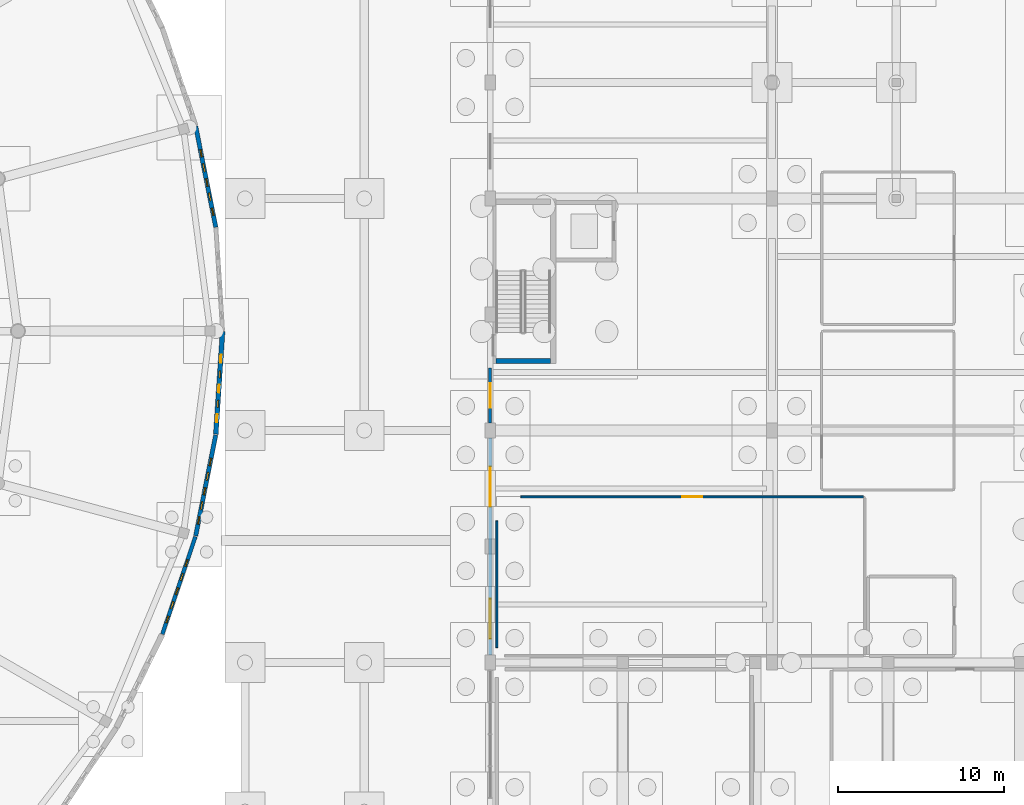
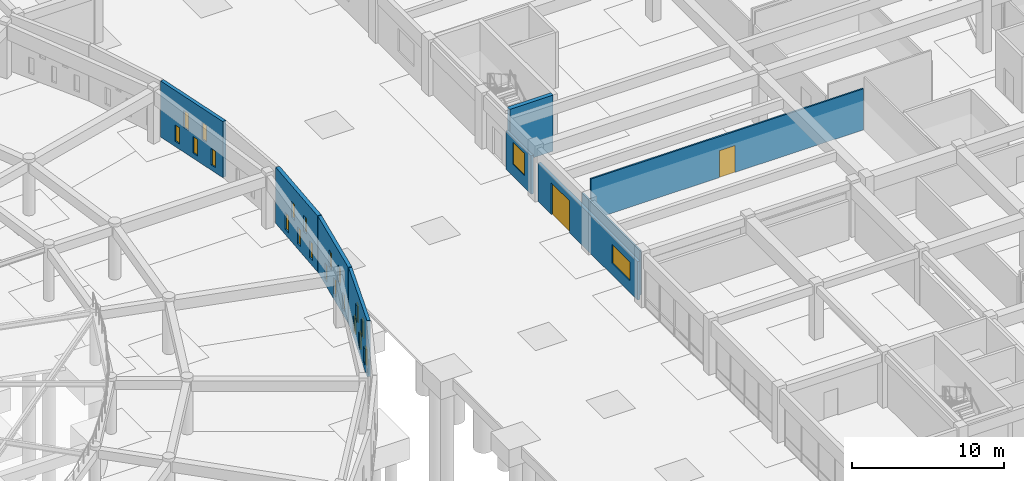
# One storey, part 48 of 84: 22 windows, 9 walls, 2 doors, 24 openings.
"""IFC4 building model written with IfcOpenShell, lengths in metres."""

import ifcopenshell
import ifcopenshell.guid

model = None  # the IFC model being written
_history = None  # IfcOwnerHistory: only IFC2X3 demands one
_inside = {}  # id of a spatial element -> (the spatial element, [elements in it])
_under = {}  # id of a project, library or spatial element -> (it, [spatial elements below it])
_declared = {}  # id of a project -> (the project, [libraries it declares])
_typed = {}  # id of a type object -> (the type object, [elements of that type])
_made_of = {}  # id of a material, layer set ... -> (it, [elements and type objects made of it])


def new_model(schema):
    """Start an empty IFC model of exactly this schema.

    Asked for "IFC4X3", IfcOpenShell would pick the latest addendum, in which some entities
    have other attributes; the version numbers below select the first issue.
    IFC2X3 requires an IfcOwnerHistory on every rooted entity: one is made here for all.
    """
    global model, _history
    if schema == "IFC4X3":
        model = ifcopenshell.file(schema_version=(4, 3, 0, 0))
    else:
        model = ifcopenshell.file(schema=schema)
    _inside.clear()
    _under.clear()
    _declared.clear()
    _typed.clear()
    _made_of.clear()
    _history = None
    if model.schema == "IFC2X3":
        org = make("IfcOrganization", Name="unknown")
        user = make(
            "IfcPersonAndOrganization",
            ThePerson=make("IfcPerson", FamilyName="unknown"),
            TheOrganization=org,
        )
        app = make(
            "IfcApplication",
            ApplicationDeveloper=org,
            Version="unknown",
            ApplicationFullName="unknown",
            ApplicationIdentifier="unknown",
        )
        _history = make(
            "IfcOwnerHistory",
            OwningUser=user,
            OwningApplication=app,
            ChangeAction="ADDED",
            CreationDate=0,
        )
    return model


def make(cls, **values):
    """One entity of the class cls with the attributes given. An attribute that is None is left unset."""
    return model.create_entity(
        cls, **{name: value for name, value in values.items() if value is not None}
    )


def rooted(cls, **values):
    """An entity with a GlobalId (a new one), such as an element, a storey or a relation."""
    return make(cls, GlobalId=ifcopenshell.guid.new(), OwnerHistory=_history, **values)


def si_unit(unit_type, name, prefix=None):
    """IfcSIUnit, for example si_unit("LENGTHUNIT", "METRE", prefix="MILLI")."""
    return make("IfcSIUnit", UnitType=unit_type, Prefix=prefix, Name=name)


def assignment(units):
    """IfcUnitAssignment: the units of a project."""
    return None if units is None else make("IfcUnitAssignment", Units=units)


def point(xyz):
    """IfcCartesianPoint."""
    return None if xyz is None else make("IfcCartesianPoint", Coordinates=xyz)


def direction(xyz):
    """IfcDirection."""
    return None if xyz is None else make("IfcDirection", DirectionRatios=xyz)


def frame(location, z_axis=None, x_axis=None):
    """IfcAxis2Placement3D, a coordinate frame: its origin and axes. An axis left out is left unset."""
    return make(
        "IfcAxis2Placement3D",
        Location=point(location),
        Axis=direction(z_axis),
        RefDirection=direction(x_axis),
    )


def frame_2d(location, x_axis=None):
    """IfcAxis2Placement2D, a coordinate frame in the plane: its origin and x axis."""
    return make(
        "IfcAxis2Placement2D", Location=point(location), RefDirection=direction(x_axis)
    )


def origin():
    """The frame at (0, 0, 0) with its axes left unset."""
    return frame((0.0, 0.0, 0.0))


def place(relative_to, where):
    """IfcLocalPlacement: puts the frame where relative to a parent placement (None: the world)."""
    return make(
        "IfcLocalPlacement", PlacementRelTo=relative_to, RelativePlacement=where
    )


def context(
    kind, dimensions, precision=None, world=None, true_north=None, identifier=None
):
    """IfcGeometricRepresentationContext, for example the 3D "Model" context."""
    return make(
        "IfcGeometricRepresentationContext",
        ContextIdentifier=identifier,
        ContextType=kind,
        CoordinateSpaceDimension=dimensions,
        Precision=precision,
        WorldCoordinateSystem=world,
        TrueNorth=true_north,
    )


def subcontext(parent, identifier, kind, view, scale=None):
    """IfcGeometricRepresentationSubContext, for example "Body" below "Model"."""
    return make(
        "IfcGeometricRepresentationSubContext",
        ContextIdentifier=identifier,
        ContextType=kind,
        ParentContext=parent,
        TargetScale=scale,
        TargetView=view,
    )


def project(units=None, contexts=None):
    """IfcProject with its units and contexts."""
    return rooted(
        "IfcProject",
        Name="project",
        RepresentationContexts=contexts,
        UnitsInContext=assignment(units),
    )


def spatial(cls, under=None, at=None, **own):
    """A site, building, storey or space (cls), placed at a placement, below another one or the project."""
    s = rooted(cls, ObjectPlacement=at, **own)
    if under is not None:
        _under.setdefault(under.id(), (under, []))[1].append(s)
    return s


def profile(cls, at=None, kind="AREA", **sizes):
    """A parametric profile (cls). Its sizes go by their IFC names, for example OverallWidth=200.0."""
    return make(cls, ProfileType=kind, Position=at, **sizes)


def rectangle(**sizes):
    """IfcRectangleProfileDef."""
    return profile("IfcRectangleProfileDef", **sizes)


def extrude(swept, where, along, depth):
    """IfcExtrudedAreaSolid: the profile swept, set in the frame where, extruded along a direction by depth."""
    return make(
        "IfcExtrudedAreaSolid",
        SweptArea=swept,
        Position=where,
        ExtrudedDirection=direction(along),
        Depth=depth,
    )


def shape(context_of_items, identifier, shape_type, items):
    """IfcShapeRepresentation: the items that make up one representation, for example the "Body"."""
    return make(
        "IfcShapeRepresentation",
        ContextOfItems=context_of_items,
        RepresentationIdentifier=identifier,
        RepresentationType=shape_type,
        Items=items,
    )


def material(Name=None, Category=None):
    """IfcMaterial."""
    return make("IfcMaterial", Name=Name, Category=Category)


def layer(
    of_material, thickness, ventilated=None, Name=None, Category=None, Priority=None
):
    """IfcMaterialLayer: one layer of a wall or slab, of a material (None: an air gap)."""
    return make(
        "IfcMaterialLayer",
        Material=of_material,
        LayerThickness=thickness,
        IsVentilated=ventilated,
        Name=Name,
        Category=Category,
        Priority=Priority,
    )


def layer_set(layers, Name=None):
    """IfcMaterialLayerSet."""
    return make("IfcMaterialLayerSet", MaterialLayers=layers, LayerSetName=Name)


def made_of(thing, what):
    """Note that an element or type object is made of a material, layer set ...; save() writes the relation."""
    if what is not None:
        _made_of.setdefault(what.id(), (what, []))[1].append(thing)
    return thing


def type_object(cls, material=None, **own):
    """A type object (cls), such as IfcWallType, which elements share."""
    return made_of(rooted(cls, **own), material)


def element(
    cls,
    number,
    at=None,
    inside=None,
    cuts=None,
    type_object=None,
    material=None,
    context=None,
    identifier="Body",
    shape_type=None,
    held_by="IfcProductDefinitionShape",
    body=None,
    shapes=None,
    **own,
):
    """One element of the class cls, such as IfcWall. Its Tag is "e" and its number.

    at: its placement. inside: the storey or other place that contains it. cuts: it is an
    opening in that element (IfcRelVoidsElement). A single representation is given by context,
    identifier, shape_type and body (its items); several are given by shapes. held_by: the class
    of the entity that holds the representations. save() writes the other relations.
    """
    e = rooted(cls, Tag="e%d" % number, ObjectPlacement=at, **own)
    if body is not None:
        shapes = [shape(context, identifier, shape_type, body)]
    if shapes is not None:
        e.Representation = make(held_by, Representations=shapes)
    if inside is not None:
        _inside.setdefault(inside.id(), (inside, []))[1].append(e)
    if cuts is not None:
        rooted(
            "IfcRelVoidsElement", RelatingBuildingElement=cuts, RelatedOpeningElement=e
        )
    if type_object is not None:
        _typed.setdefault(type_object.id(), (type_object, []))[1].append(e)
    return made_of(e, material)


def fill(opening, filler):
    """IfcRelFillsElement: the door or window that sits in an opening."""
    return rooted(
        "IfcRelFillsElement",
        RelatingOpeningElement=opening,
        RelatedBuildingElement=filler,
    )


def aggregate(whole, parts):
    """IfcRelAggregates: a whole, such as a stair, and the parts it consists of."""
    return rooted("IfcRelAggregates", RelatingObject=whole, RelatedObjects=parts)


def save(model, path):
    """Write the relations noted so far, then the file.

    IfcRelAggregates (storeys below a building ...), IfcRelContainedInSpatialStructure (elements
    in a storey), IfcRelDefinesByType, IfcRelAssociatesMaterial and IfcRelDeclares: one each for
    every whole, place, type object, material and project.
    """
    for whole, parts in _under.values():
        aggregate(whole, parts)
    for where, things in _inside.values():
        rooted(
            "IfcRelContainedInSpatialStructure",
            RelatedElements=things,
            RelatingStructure=where,
        )
    for kind, things in _typed.values():
        rooted("IfcRelDefinesByType", RelatedObjects=things, RelatingType=kind)
    for what, things in _made_of.values():
        rooted("IfcRelAssociatesMaterial", RelatedObjects=things, RelatingMaterial=what)
    for by, libraries in _declared.values():
        rooted("IfcRelDeclares", RelatingContext=by, RelatedDefinitions=libraries)
    model.write(path)


model = new_model("IFC4")

# Units and contexts
model_context = context("Model", 3, precision=1e-05, world=origin(), true_north=direction((0.0, 1.0)))
body_context = subcontext(model_context, "Body", "Model", "MODEL_VIEW")
ifc_project = project(units=[si_unit("LENGTHUNIT", "METRE"), si_unit("AREAUNIT", "SQUARE_METRE"), si_unit("VOLUMEUNIT", "CUBIC_METRE"), si_unit("PLANEANGLEUNIT", "RADIAN"), si_unit("MASSUNIT", "GRAM", prefix="KILO")], contexts=[model_context])

# Site, building, storey
site_placement = place(None, origin())
site = spatial("IfcSite", under=ifc_project, at=site_placement, CompositionType="ELEMENT")
building_placement = place(site_placement, origin())
building = spatial("IfcBuilding", under=site, at=building_placement, Name="Larkveld Mobility Hub", CompositionType="ELEMENT")
storey_placement = place(building_placement, origin())
storey = spatial("IfcBuildingStorey", under=building, at=storey_placement, Name="L00", CompositionType="ELEMENT", Elevation=0.0)

# Wall, openings, windows
ifc_material_1 = material(Name="Fired clay brick 25 MPa", Category="masonry")
ifc_layer_1 = layer(ifc_material_1, 0.22998046875, Name="Fired clay brick 25 MPa", Category="masonry")
ifc_layer_set_1 = layer_set([ifc_layer_1], Name="Fired clay brick 25 MPa")
wall_type_1 = type_object("IfcWallType", Name="WL-BRK-230", PredefinedType="USERDEFINED", material=ifc_layer_set_1)
wall_1_placement = place(storey_placement, frame((92.216064453125, 29.7119140625, 0.0), z_axis=(0.0, 0.0, 1.0), x_axis=(0.321364960579, 0.946955417172, 0.0)))
wall_1 = element("IfcWall", 1, at=wall_1_placement, inside=storey, type_object=wall_type_1, Name="Drum Woven Open-Bond Brick Chord L00-0044", ObjectType="PERFORATED BRICK SCREEN", PredefinedType="USERDEFINED", context=body_context, shape_type="SweptSolid", body=[
    extrude(rectangle(XDim=6.21044921875, YDim=0.22998046875, at=frame_2d((3.105224609375, 0.0))), origin(), (0.0, 0.0, 1.0), 4.5),
])
opening_1_placement = place(wall_1_placement, frame((0.719970703125, 0.0, 0.419921875)))
opening_1 = element("IfcOpeningElement", 2, at=opening_1_placement, cuts=wall_1, Name="Opening W01", PredefinedType="OPENING", context=body_context, shape_type="SweptSolid", body=[
    extrude(rectangle(XDim=0.419921875, YDim=1.280029296875, at=frame_2d((0.2099609375, 0.64013671875))), frame((0.0, 0.125, 0.0), z_axis=(0.0, -1.0, 0.0), x_axis=(1.0, 0.0, 0.0)), (0.0, 0.0, 1.0), 0.25),
])
opening_2_placement = place(wall_1_placement, frame((2.52001953125, 0.0, 0.419921875)))
opening_2 = element("IfcOpeningElement", 3, at=opening_2_placement, cuts=wall_1, Name="Opening W01", PredefinedType="OPENING", context=body_context, shape_type="SweptSolid", body=[
    extrude(rectangle(XDim=0.419921875, YDim=1.280029296875, at=frame_2d((0.2099609375, 0.64013671875))), frame((0.0, 0.125, 0.0), z_axis=(0.0, -1.0, 0.0), x_axis=(1.0, 0.0, 0.0)), (0.0, 0.0, 1.0), 0.25),
])
opening_3_placement = place(wall_1_placement, frame((4.320068359375, 0.0, 0.419921875)))
opening_3 = element("IfcOpeningElement", 4, at=opening_3_placement, cuts=wall_1, Name="Opening W01", PredefinedType="OPENING", context=body_context, shape_type="SweptSolid", body=[
    extrude(rectangle(XDim=0.419921875, YDim=1.280029296875, at=frame_2d((0.2099609375, 0.64013671875))), frame((0.0, 0.125, 0.0), z_axis=(0.0, -1.0, 0.0), x_axis=(1.0, 0.0, 0.0)), (0.0, 0.0, 1.0), 0.25),
])
opening_4_placement = place(wall_1_placement, frame((1.6201171875, 0.0, 1.97998046875)))
opening_4 = element("IfcOpeningElement", 5, at=opening_4_placement, cuts=wall_1, Name="Opening W02", PredefinedType="OPENING", context=body_context, shape_type="SweptSolid", body=[
    extrude(rectangle(XDim=0.449951171875, YDim=1.320068359375, at=frame_2d((0.22509765625, 0.66015625))), frame((0.0, 0.125, 0.0), z_axis=(0.0, -1.0, 0.0), x_axis=(1.0, 0.0, 0.0)), (0.0, 0.0, 1.0), 0.25),
])
opening_5_placement = place(wall_1_placement, frame((3.419921875, 0.0, 1.97998046875)))
opening_5 = element("IfcOpeningElement", 6, at=opening_5_placement, cuts=wall_1, Name="Opening W02", PredefinedType="OPENING", context=body_context, shape_type="SweptSolid", body=[
    extrude(rectangle(XDim=0.449951171875, YDim=1.320068359375, at=frame_2d((0.22509765625, 0.66015625))), frame((0.0, 0.125, 0.0), z_axis=(0.0, -1.0, 0.0), x_axis=(1.0, 0.0, 0.0)), (0.0, 0.0, 1.0), 0.25),
])
ifc_material_2 = material(Name="Extruded aluminium ventilation grille", Category="aluminium")
window_type_1 = type_object("IfcWindowType", Name="WN-VENT-01", PartitioningType="SINGLE_PANEL", PredefinedType="WINDOW", material=ifc_material_2)
window_1_placement = place(opening_1_placement, origin())
window_1 = element("IfcWindow", 7, at=window_1_placement, inside=storey, type_object=window_type_1, Name="Window W01 (0206)", OverallHeight=1.280029296875, OverallWidth=0.419921875, PartitioningType="SINGLE_PANEL", PredefinedType="WINDOW", context=body_context, shape_type="SweptSolid", body=[
    extrude(rectangle(XDim=0.419921875, YDim=1.280029296875, at=frame_2d((0.2099609375, 0.64013671875))), frame((0.0, 0.030029296875, 0.0), z_axis=(0.0, -1.0, 0.0), x_axis=(1.0, 0.0, 0.0)), (0.0, 0.0, 1.0), 0.06005859375),
])
fill(opening_1, window_1)
window_2_placement = place(opening_2_placement, origin())
window_2 = element("IfcWindow", 8, at=window_2_placement, inside=storey, type_object=window_type_1, Name="Window W01 (0207)", OverallHeight=1.280029296875, OverallWidth=0.419921875, PartitioningType="SINGLE_PANEL", PredefinedType="WINDOW", context=body_context, shape_type="SweptSolid", body=[
    extrude(rectangle(XDim=0.419921875, YDim=1.280029296875, at=frame_2d((0.2099609375, 0.64013671875))), frame((0.0, 0.030029296875, 0.0), z_axis=(0.0, -1.0, 0.0), x_axis=(1.0, 0.0, 0.0)), (0.0, 0.0, 1.0), 0.06005859375),
])
fill(opening_2, window_2)
window_3_placement = place(opening_3_placement, origin())
window_3 = element("IfcWindow", 9, at=window_3_placement, inside=storey, type_object=window_type_1, Name="Window W01 (0208)", OverallHeight=1.280029296875, OverallWidth=0.419921875, PartitioningType="SINGLE_PANEL", PredefinedType="WINDOW", context=body_context, shape_type="SweptSolid", body=[
    extrude(rectangle(XDim=0.419921875, YDim=1.280029296875, at=frame_2d((0.2099609375, 0.64013671875))), frame((0.0, 0.030029296875, 0.0), z_axis=(0.0, -1.0, 0.0), x_axis=(1.0, 0.0, 0.0)), (0.0, 0.0, 1.0), 0.06005859375),
])
fill(opening_3, window_3)
window_type_2 = type_object("IfcWindowType", Name="WN-VENT-02", PartitioningType="SINGLE_PANEL", PredefinedType="WINDOW", material=ifc_material_2)
window_4_placement = place(opening_4_placement, origin())
window_4 = element("IfcWindow", 10, at=window_4_placement, inside=storey, type_object=window_type_2, Name="Window W02 (0209)", OverallHeight=1.320068359375, OverallWidth=0.449951171875, PartitioningType="SINGLE_PANEL", PredefinedType="WINDOW", context=body_context, shape_type="SweptSolid", body=[
    extrude(rectangle(XDim=0.449951171875, YDim=1.320068359375, at=frame_2d((0.22509765625, 0.66015625))), frame((0.0, 0.030029296875, 0.0), z_axis=(0.0, -1.0, 0.0), x_axis=(1.0, 0.0, 0.0)), (0.0, 0.0, 1.0), 0.06005859375),
])
fill(opening_4, window_4)
window_5_placement = place(opening_5_placement, origin())
window_5 = element("IfcWindow", 11, at=window_5_placement, inside=storey, type_object=window_type_2, Name="Window W02 (0210)", OverallHeight=1.320068359375, OverallWidth=0.449951171875, PartitioningType="SINGLE_PANEL", PredefinedType="WINDOW", context=body_context, shape_type="SweptSolid", body=[
    extrude(rectangle(XDim=0.449951171875, YDim=1.320068359375, at=frame_2d((0.22509765625, 0.66015625))), frame((0.0, 0.030029296875, 0.0), z_axis=(0.0, -1.0, 0.0), x_axis=(1.0, 0.0, 0.0)), (0.0, 0.0, 1.0), 0.06005859375),
])
fill(opening_5, window_5)

ifc_layer_2 = layer(ifc_material_1, 0.260009765625, Name="Fired clay brick 25 MPa", Category="masonry")
ifc_layer_set_2 = layer_set([ifc_layer_2], Name="Fired clay brick 25 MPa")
wall_type_2 = type_object("IfcWallType", Name="WL-BRK-260", PredefinedType="USERDEFINED", material=ifc_layer_set_2)
wall_2_placement = place(storey_placement, frame((95.43603515625, 54.27001953125, 0.0), z_axis=(0.0, 0.0, 1.0), x_axis=(-0.195019632022, 0.980799338869, 0.0)))
wall_2 = element("IfcWall", 12, at=wall_2_placement, inside=storey, type_object=wall_type_2, Name="Drum Woven Open-Bond Brick Chord L00-0002", ObjectType="PERFORATED BRICK SCREEN", PredefinedType="USERDEFINED", context=body_context, shape_type="SweptSolid", body=[
    extrude(rectangle(XDim=6.209228515625, YDim=0.260009765625, at=frame_2d((3.1044921875, 0.0))), origin(), (0.0, 0.0, 1.0), 4.5),
])
opening_6_placement = place(wall_2_placement, frame((0.719970703125, 0.0, 0.419921875)))
opening_6 = element("IfcOpeningElement", 13, at=opening_6_placement, cuts=wall_2, Name="Opening W02", PredefinedType="OPENING", context=body_context, shape_type="SweptSolid", body=[
    extrude(rectangle(XDim=0.449951171875, YDim=1.320068359375, at=frame_2d((0.22509765625, 0.66015625))), frame((0.0, 0.14013671875, 0.0), z_axis=(0.0, -1.0, 0.0), x_axis=(1.0, 0.0, 0.0)), (0.0, 0.0, 1.0), 0.280029296875),
])
opening_7_placement = place(wall_2_placement, frame((2.52001953125, 0.0, 0.419921875)))
opening_7 = element("IfcOpeningElement", 14, at=opening_7_placement, cuts=wall_2, Name="Opening W02", PredefinedType="OPENING", context=body_context, shape_type="SweptSolid", body=[
    extrude(rectangle(XDim=0.449951171875, YDim=1.320068359375, at=frame_2d((0.22509765625, 0.66015625))), frame((0.0, 0.14013671875, 0.0), z_axis=(0.0, -1.0, 0.0), x_axis=(1.0, 0.0, 0.0)), (0.0, 0.0, 1.0), 0.280029296875),
])
opening_8_placement = place(wall_2_placement, frame((4.320068359375, 0.0, 0.419921875)))
opening_8 = element("IfcOpeningElement", 15, at=opening_8_placement, cuts=wall_2, Name="Opening W02", PredefinedType="OPENING", context=body_context, shape_type="SweptSolid", body=[
    extrude(rectangle(XDim=0.449951171875, YDim=1.320068359375, at=frame_2d((0.22509765625, 0.66015625))), frame((0.0, 0.14013671875, 0.0), z_axis=(0.0, -1.0, 0.0), x_axis=(1.0, 0.0, 0.0)), (0.0, 0.0, 1.0), 0.280029296875),
])
opening_9_placement = place(wall_2_placement, frame((1.6201171875, 0.0, 1.97998046875)))
opening_9 = element("IfcOpeningElement", 16, at=opening_9_placement, cuts=wall_2, Name="Opening W03", PredefinedType="OPENING", context=body_context, shape_type="SweptSolid", body=[
    extrude(rectangle(XDim=0.47998046875, YDim=1.360107421875, at=frame_2d((0.239990234375, 0.68017578125))), frame((0.0, 0.14013671875, 0.0), z_axis=(0.0, -1.0, 0.0), x_axis=(1.0, 0.0, 0.0)), (0.0, 0.0, 1.0), 0.280029296875),
])
opening_10_placement = place(wall_2_placement, frame((3.419921875, 0.0, 1.97998046875)))
opening_10 = element("IfcOpeningElement", 17, at=opening_10_placement, cuts=wall_2, Name="Opening W03", PredefinedType="OPENING", context=body_context, shape_type="SweptSolid", body=[
    extrude(rectangle(XDim=0.47998046875, YDim=1.360107421875, at=frame_2d((0.239990234375, 0.68017578125))), frame((0.0, 0.14013671875, 0.0), z_axis=(0.0, -1.0, 0.0), x_axis=(1.0, 0.0, 0.0)), (0.0, 0.0, 1.0), 0.280029296875),
])
window_6_placement = place(opening_6_placement, origin())
window_6 = element("IfcWindow", 18, at=window_6_placement, inside=storey, type_object=window_type_2, Name="Window W02 (0006)", OverallHeight=1.320068359375, OverallWidth=0.449951171875, PartitioningType="SINGLE_PANEL", PredefinedType="WINDOW", context=body_context, shape_type="SweptSolid", body=[
    extrude(rectangle(XDim=0.449951171875, YDim=1.320068359375, at=frame_2d((0.22509765625, 0.66015625))), frame((0.0, 0.030029296875, 0.0), z_axis=(0.0, -1.0, 0.0), x_axis=(1.0, 0.0, 0.0)), (0.0, 0.0, 1.0), 0.06005859375),
])
fill(opening_6, window_6)
window_7_placement = place(opening_7_placement, origin())
window_7 = element("IfcWindow", 19, at=window_7_placement, inside=storey, type_object=window_type_2, Name="Window W02 (0007)", OverallHeight=1.320068359375, OverallWidth=0.449951171875, PartitioningType="SINGLE_PANEL", PredefinedType="WINDOW", context=body_context, shape_type="SweptSolid", body=[
    extrude(rectangle(XDim=0.449951171875, YDim=1.320068359375, at=frame_2d((0.22509765625, 0.66015625))), frame((0.0, 0.030029296875, 0.0), z_axis=(0.0, -1.0, 0.0), x_axis=(1.0, 0.0, 0.0)), (0.0, 0.0, 1.0), 0.06005859375),
])
fill(opening_7, window_7)
window_8_placement = place(opening_8_placement, origin())
window_8 = element("IfcWindow", 20, at=window_8_placement, inside=storey, type_object=window_type_2, Name="Window W02 (0008)", OverallHeight=1.320068359375, OverallWidth=0.449951171875, PartitioningType="SINGLE_PANEL", PredefinedType="WINDOW", context=body_context, shape_type="SweptSolid", body=[
    extrude(rectangle(XDim=0.449951171875, YDim=1.320068359375, at=frame_2d((0.22509765625, 0.66015625))), frame((0.0, 0.030029296875, 0.0), z_axis=(0.0, -1.0, 0.0), x_axis=(1.0, 0.0, 0.0)), (0.0, 0.0, 1.0), 0.06005859375),
])
fill(opening_8, window_8)
window_type_3 = type_object("IfcWindowType", Name="WN-VENT-03", PartitioningType="SINGLE_PANEL", PredefinedType="WINDOW", material=ifc_material_2)
window_9_placement = place(opening_9_placement, origin())
window_9 = element("IfcWindow", 21, at=window_9_placement, inside=storey, type_object=window_type_3, Name="Window W03 (0009)", OverallHeight=1.360107421875, OverallWidth=0.47998046875, PartitioningType="SINGLE_PANEL", PredefinedType="WINDOW", context=body_context, shape_type="SweptSolid", body=[
    extrude(rectangle(XDim=0.47998046875, YDim=1.360107421875, at=frame_2d((0.239990234375, 0.68017578125))), frame((0.0, 0.030029296875, 0.0), z_axis=(0.0, -1.0, 0.0), x_axis=(1.0, 0.0, 0.0)), (0.0, 0.0, 1.0), 0.06005859375),
])
fill(opening_9, window_9)
window_10_placement = place(opening_10_placement, origin())
window_10 = element("IfcWindow", 22, at=window_10_placement, inside=storey, type_object=window_type_3, Name="Window W03 (0010)", OverallHeight=1.360107421875, OverallWidth=0.47998046875, PartitioningType="SINGLE_PANEL", PredefinedType="WINDOW", context=body_context, shape_type="SweptSolid", body=[
    extrude(rectangle(XDim=0.47998046875, YDim=1.360107421875, at=frame_2d((0.239990234375, 0.68017578125))), frame((0.0, 0.030029296875, 0.0), z_axis=(0.0, -1.0, 0.0), x_axis=(1.0, 0.0, 0.0)), (0.0, 0.0, 1.0), 0.06005859375),
])
fill(opening_10, window_10)

wall_3_placement = place(storey_placement, frame((94.22509765625, 35.639892578125, 0.0), z_axis=(0.0, 0.0, 1.0), x_axis=(0.195019632022, 0.980799338869, 0.0)))
wall_3 = element("IfcWall", 23, at=wall_3_placement, inside=storey, type_object=wall_type_2, Name="Drum Woven Open-Bond Brick Chord L00-0045", ObjectType="PERFORATED BRICK SCREEN", PredefinedType="USERDEFINED", context=body_context, shape_type="SweptSolid", body=[
    extrude(rectangle(XDim=6.209228515625, YDim=0.260009765625, at=frame_2d((3.1044921875, 0.0))), origin(), (0.0, 0.0, 1.0), 4.5),
])
opening_11_placement = place(wall_3_placement, frame((0.719970703125, 0.0, 0.419921875)))
opening_11 = element("IfcOpeningElement", 24, at=opening_11_placement, cuts=wall_3, Name="Opening W02", PredefinedType="OPENING", context=body_context, shape_type="SweptSolid", body=[
    extrude(rectangle(XDim=0.449951171875, YDim=1.320068359375, at=frame_2d((0.22509765625, 0.66015625))), frame((0.0, 0.14013671875, 0.0), z_axis=(0.0, -1.0, 0.0), x_axis=(1.0, 0.0, 0.0)), (0.0, 0.0, 1.0), 0.280029296875),
])
opening_12_placement = place(wall_3_placement, frame((2.52001953125, 0.0, 0.419921875)))
opening_12 = element("IfcOpeningElement", 25, at=opening_12_placement, cuts=wall_3, Name="Opening W02", PredefinedType="OPENING", context=body_context, shape_type="SweptSolid", body=[
    extrude(rectangle(XDim=0.449951171875, YDim=1.320068359375, at=frame_2d((0.22509765625, 0.66015625))), frame((0.0, 0.14013671875, 0.0), z_axis=(0.0, -1.0, 0.0), x_axis=(1.0, 0.0, 0.0)), (0.0, 0.0, 1.0), 0.280029296875),
])
opening_13_placement = place(wall_3_placement, frame((4.320068359375, 0.0, 0.419921875)))
opening_13 = element("IfcOpeningElement", 26, at=opening_13_placement, cuts=wall_3, Name="Opening W02", PredefinedType="OPENING", context=body_context, shape_type="SweptSolid", body=[
    extrude(rectangle(XDim=0.449951171875, YDim=1.320068359375, at=frame_2d((0.22509765625, 0.66015625))), frame((0.0, 0.14013671875, 0.0), z_axis=(0.0, -1.0, 0.0), x_axis=(1.0, 0.0, 0.0)), (0.0, 0.0, 1.0), 0.280029296875),
])
opening_14_placement = place(wall_3_placement, frame((1.6201171875, 0.0, 1.97998046875)))
opening_14 = element("IfcOpeningElement", 27, at=opening_14_placement, cuts=wall_3, Name="Opening W03", PredefinedType="OPENING", context=body_context, shape_type="SweptSolid", body=[
    extrude(rectangle(XDim=0.47998046875, YDim=1.360107421875, at=frame_2d((0.239990234375, 0.68017578125))), frame((0.0, 0.14013671875, 0.0), z_axis=(0.0, -1.0, 0.0), x_axis=(1.0, 0.0, 0.0)), (0.0, 0.0, 1.0), 0.280029296875),
])
opening_15_placement = place(wall_3_placement, frame((3.419921875, 0.0, 1.97998046875)))
opening_15 = element("IfcOpeningElement", 28, at=opening_15_placement, cuts=wall_3, Name="Opening W03", PredefinedType="OPENING", context=body_context, shape_type="SweptSolid", body=[
    extrude(rectangle(XDim=0.47998046875, YDim=1.360107421875, at=frame_2d((0.239990234375, 0.68017578125))), frame((0.0, 0.14013671875, 0.0), z_axis=(0.0, -1.0, 0.0), x_axis=(1.0, 0.0, 0.0)), (0.0, 0.0, 1.0), 0.280029296875),
])
window_11_placement = place(opening_11_placement, origin())
window_11 = element("IfcWindow", 29, at=window_11_placement, inside=storey, type_object=window_type_2, Name="Window W02 (0211)", OverallHeight=1.320068359375, OverallWidth=0.449951171875, PartitioningType="SINGLE_PANEL", PredefinedType="WINDOW", context=body_context, shape_type="SweptSolid", body=[
    extrude(rectangle(XDim=0.449951171875, YDim=1.320068359375, at=frame_2d((0.22509765625, 0.66015625))), frame((0.0, 0.030029296875, 0.0), z_axis=(0.0, -1.0, 0.0), x_axis=(1.0, 0.0, 0.0)), (0.0, 0.0, 1.0), 0.06005859375),
])
fill(opening_11, window_11)
window_12_placement = place(opening_12_placement, origin())
window_12 = element("IfcWindow", 30, at=window_12_placement, inside=storey, type_object=window_type_2, Name="Window W02 (0212)", OverallHeight=1.320068359375, OverallWidth=0.449951171875, PartitioningType="SINGLE_PANEL", PredefinedType="WINDOW", context=body_context, shape_type="SweptSolid", body=[
    extrude(rectangle(XDim=0.449951171875, YDim=1.320068359375, at=frame_2d((0.22509765625, 0.66015625))), frame((0.0, 0.030029296875, 0.0), z_axis=(0.0, -1.0, 0.0), x_axis=(1.0, 0.0, 0.0)), (0.0, 0.0, 1.0), 0.06005859375),
])
fill(opening_12, window_12)
window_13_placement = place(opening_13_placement, origin())
window_13 = element("IfcWindow", 31, at=window_13_placement, inside=storey, type_object=window_type_2, Name="Window W02 (0213)", OverallHeight=1.320068359375, OverallWidth=0.449951171875, PartitioningType="SINGLE_PANEL", PredefinedType="WINDOW", context=body_context, shape_type="SweptSolid", body=[
    extrude(rectangle(XDim=0.449951171875, YDim=1.320068359375, at=frame_2d((0.22509765625, 0.66015625))), frame((0.0, 0.030029296875, 0.0), z_axis=(0.0, -1.0, 0.0), x_axis=(1.0, 0.0, 0.0)), (0.0, 0.0, 1.0), 0.06005859375),
])
fill(opening_13, window_13)
window_14_placement = place(opening_14_placement, origin())
window_14 = element("IfcWindow", 32, at=window_14_placement, inside=storey, type_object=window_type_3, Name="Window W03 (0214)", OverallHeight=1.360107421875, OverallWidth=0.47998046875, PartitioningType="SINGLE_PANEL", PredefinedType="WINDOW", context=body_context, shape_type="SweptSolid", body=[
    extrude(rectangle(XDim=0.47998046875, YDim=1.360107421875, at=frame_2d((0.239990234375, 0.68017578125))), frame((0.0, 0.030029296875, 0.0), z_axis=(0.0, -1.0, 0.0), x_axis=(1.0, 0.0, 0.0)), (0.0, 0.0, 1.0), 0.06005859375),
])
fill(opening_14, window_14)
window_15_placement = place(opening_15_placement, origin())
window_15 = element("IfcWindow", 33, at=window_15_placement, inside=storey, type_object=window_type_3, Name="Window W03 (0215)", OverallHeight=1.360107421875, OverallWidth=0.47998046875, PartitioningType="SINGLE_PANEL", PredefinedType="WINDOW", context=body_context, shape_type="SweptSolid", body=[
    extrude(rectangle(XDim=0.47998046875, YDim=1.360107421875, at=frame_2d((0.239990234375, 0.68017578125))), frame((0.0, 0.030029296875, 0.0), z_axis=(0.0, -1.0, 0.0), x_axis=(1.0, 0.0, 0.0)), (0.0, 0.0, 1.0), 0.06005859375),
])
fill(opening_15, window_15)

ifc_layer_3 = layer(ifc_material_1, 0.2900390625, Name="Fired clay brick 25 MPa", Category="masonry")
ifc_layer_set_3 = layer_set([ifc_layer_3], Name="Fired clay brick 25 MPa")
wall_type_3 = type_object("IfcWallType", Name="WL-BRK-290", PredefinedType="USERDEFINED", material=ifc_layer_set_3)
wall_4_placement = place(storey_placement, frame((95.443115234375, 41.778076171875, 0.0), z_axis=(0.0, 0.0, 1.0), x_axis=(0.065170180182, 0.997874164219, 0.0)))
wall_4 = element("IfcWall", 34, at=wall_4_placement, inside=storey, type_object=wall_type_3, Name="Drum Woven Open-Bond Brick Chord L00-0046", ObjectType="PERFORATED BRICK SCREEN", PredefinedType="USERDEFINED", context=body_context, shape_type="SweptSolid", body=[
    extrude(rectangle(XDim=6.211181640625, YDim=0.2900390625, at=frame_2d((3.10546875, 0.0))), origin(), (0.0, 0.0, 1.0), 4.5),
])
opening_16_placement = place(wall_4_placement, frame((0.719970703125, 0.0, 0.419921875)))
opening_16 = element("IfcOpeningElement", 35, at=opening_16_placement, cuts=wall_4, Name="Opening W03", PredefinedType="OPENING", context=body_context, shape_type="SweptSolid", body=[
    extrude(rectangle(XDim=0.47998046875, YDim=1.360107421875, at=frame_2d((0.239990234375, 0.68017578125))), frame((0.0, 0.155029296875, 0.0), z_axis=(0.0, -1.0, 0.0), x_axis=(1.0, 0.0, 0.0)), (0.0, 0.0, 1.0), 0.31005859375),
])
opening_17_placement = place(wall_4_placement, frame((2.52001953125, 0.0, 0.419921875)))
opening_17 = element("IfcOpeningElement", 36, at=opening_17_placement, cuts=wall_4, Name="Opening W03", PredefinedType="OPENING", context=body_context, shape_type="SweptSolid", body=[
    extrude(rectangle(XDim=0.47998046875, YDim=1.360107421875, at=frame_2d((0.239990234375, 0.68017578125))), frame((0.0, 0.155029296875, 0.0), z_axis=(0.0, -1.0, 0.0), x_axis=(1.0, 0.0, 0.0)), (0.0, 0.0, 1.0), 0.31005859375),
])
opening_18_placement = place(wall_4_placement, frame((4.320068359375, 0.0, 0.419921875)))
opening_18 = element("IfcOpeningElement", 37, at=opening_18_placement, cuts=wall_4, Name="Opening W03", PredefinedType="OPENING", context=body_context, shape_type="SweptSolid", body=[
    extrude(rectangle(XDim=0.47998046875, YDim=1.360107421875, at=frame_2d((0.239990234375, 0.68017578125))), frame((0.0, 0.155029296875, 0.0), z_axis=(0.0, -1.0, 0.0), x_axis=(1.0, 0.0, 0.0)), (0.0, 0.0, 1.0), 0.31005859375),
])
opening_19_placement = place(wall_4_placement, frame((1.6201171875, 0.0, 1.97998046875)))
opening_19 = element("IfcOpeningElement", 38, at=opening_19_placement, cuts=wall_4, Name="Opening W01", PredefinedType="OPENING", context=body_context, shape_type="SweptSolid", body=[
    extrude(rectangle(XDim=0.419921875, YDim=1.280029296875, at=frame_2d((0.2099609375, 0.64013671875))), frame((0.0, 0.155029296875, 0.0), z_axis=(0.0, -1.0, 0.0), x_axis=(1.0, 0.0, 0.0)), (0.0, 0.0, 1.0), 0.31005859375),
])
opening_20_placement = place(wall_4_placement, frame((3.419921875, 0.0, 1.97998046875)))
opening_20 = element("IfcOpeningElement", 39, at=opening_20_placement, cuts=wall_4, Name="Opening W01", PredefinedType="OPENING", context=body_context, shape_type="SweptSolid", body=[
    extrude(rectangle(XDim=0.419921875, YDim=1.280029296875, at=frame_2d((0.2099609375, 0.64013671875))), frame((0.0, 0.155029296875, 0.0), z_axis=(0.0, -1.0, 0.0), x_axis=(1.0, 0.0, 0.0)), (0.0, 0.0, 1.0), 0.31005859375),
])
window_16_placement = place(opening_19_placement, origin())
window_16 = element("IfcWindow", 40, at=window_16_placement, inside=storey, type_object=window_type_1, Name="Window W01 (0219)", OverallHeight=1.280029296875, OverallWidth=0.419921875, PartitioningType="SINGLE_PANEL", PredefinedType="WINDOW", context=body_context, shape_type="SweptSolid", body=[
    extrude(rectangle(XDim=0.419921875, YDim=1.280029296875, at=frame_2d((0.2099609375, 0.64013671875))), frame((0.0, 0.030029296875, 0.0), z_axis=(0.0, -1.0, 0.0), x_axis=(1.0, 0.0, 0.0)), (0.0, 0.0, 1.0), 0.06005859375),
])
fill(opening_19, window_16)
window_17_placement = place(opening_20_placement, origin())
window_17 = element("IfcWindow", 41, at=window_17_placement, inside=storey, type_object=window_type_1, Name="Window W01 (0220)", OverallHeight=1.280029296875, OverallWidth=0.419921875, PartitioningType="SINGLE_PANEL", PredefinedType="WINDOW", context=body_context, shape_type="SweptSolid", body=[
    extrude(rectangle(XDim=0.419921875, YDim=1.280029296875, at=frame_2d((0.2099609375, 0.64013671875))), frame((0.0, 0.030029296875, 0.0), z_axis=(0.0, -1.0, 0.0), x_axis=(1.0, 0.0, 0.0)), (0.0, 0.0, 1.0), 0.06005859375),
])
fill(opening_20, window_17)
window_18_placement = place(opening_16_placement, origin())
window_18 = element("IfcWindow", 42, at=window_18_placement, inside=storey, type_object=window_type_3, Name="Window W03 (0216)", OverallHeight=1.360107421875, OverallWidth=0.47998046875, PartitioningType="SINGLE_PANEL", PredefinedType="WINDOW", context=body_context, shape_type="SweptSolid", body=[
    extrude(rectangle(XDim=0.47998046875, YDim=1.360107421875, at=frame_2d((0.239990234375, 0.68017578125))), frame((0.0, 0.030029296875, 0.0), z_axis=(0.0, -1.0, 0.0), x_axis=(1.0, 0.0, 0.0)), (0.0, 0.0, 1.0), 0.06005859375),
])
fill(opening_16, window_18)
window_19_placement = place(opening_17_placement, origin())
window_19 = element("IfcWindow", 43, at=window_19_placement, inside=storey, type_object=window_type_3, Name="Window W03 (0217)", OverallHeight=1.360107421875, OverallWidth=0.47998046875, PartitioningType="SINGLE_PANEL", PredefinedType="WINDOW", context=body_context, shape_type="SweptSolid", body=[
    extrude(rectangle(XDim=0.47998046875, YDim=1.360107421875, at=frame_2d((0.239990234375, 0.68017578125))), frame((0.0, 0.030029296875, 0.0), z_axis=(0.0, -1.0, 0.0), x_axis=(1.0, 0.0, 0.0)), (0.0, 0.0, 1.0), 0.06005859375),
])
fill(opening_17, window_19)
window_20_placement = place(opening_18_placement, origin())
window_20 = element("IfcWindow", 44, at=window_20_placement, inside=storey, type_object=window_type_3, Name="Window W03 (0218)", OverallHeight=1.360107421875, OverallWidth=0.47998046875, PartitioningType="SINGLE_PANEL", PredefinedType="WINDOW", context=body_context, shape_type="SweptSolid", body=[
    extrude(rectangle(XDim=0.47998046875, YDim=1.360107421875, at=frame_2d((0.239990234375, 0.68017578125))), frame((0.0, 0.030029296875, 0.0), z_axis=(0.0, -1.0, 0.0), x_axis=(1.0, 0.0, 0.0)), (0.0, 0.0, 1.0), 0.06005859375),
])
fill(opening_18, window_20)

# Wall, opening, window
ifc_material_3 = material(Name="Glazed architectural ceramic masonry 20 MPa", Category="masonry")
ifc_layer_4 = layer(ifc_material_3, 0.179931640625, Name="Glazed architectural ceramic masonry 20 MPa", Category="masonry")
ifc_layer_set_4 = layer_set([ifc_layer_4], Name="Glazed architectural ceramic masonry 20 MPa")
wall_type_4 = type_object("IfcWallType", Name="WL-COB-180", PredefinedType="USERDEFINED", material=ifc_layer_set_4)
wall_5_placement = place(storey_placement, frame((112.0, 45.77001953125, 0.0), z_axis=(0.0, 0.0, 1.0), x_axis=(0.0, -1.0, 0.0)))
wall_5 = element("IfcWall", 45, at=wall_5_placement, inside=storey, type_object=wall_type_4, Name="EV Wing West Ventilated Facade L00-0216", ObjectType="CERAMIC COBOGO SCREEN", PredefinedType="USERDEFINED", context=body_context, shape_type="SweptSolid", body=[
    extrude(rectangle(XDim=3.31005859375, YDim=0.179931640625, at=frame_2d((1.655029296875, 0.0))), origin(), (0.0, 0.0, 1.0), 3.094970703125),
])
opening_21_placement = place(wall_5_placement, frame((0.905029296875, 0.0, 0.949951171875)))
opening_21 = element("IfcOpeningElement", 46, at=opening_21_placement, cuts=wall_5, Name="Opening W11", PredefinedType="OPENING", context=body_context, shape_type="SweptSolid", body=[
    extrude(rectangle(XDim=1.5, YDim=1.800048828125, at=frame_2d((0.75, 0.89990234375))), frame((0.0, 0.10009765625, 0.0), z_axis=(0.0, -1.0, 0.0), x_axis=(1.0, 0.0, 0.0)), (0.0, 0.0, 1.0), 0.199951171875),
])
ifc_material_4 = material(Name="Low-E double glazing in aluminium frame", Category="aluminium")
window_type_4 = type_object("IfcWindowType", Name="WN-ALU-11", PartitioningType="SINGLE_PANEL", PredefinedType="WINDOW", material=ifc_material_4)
window_21_placement = place(opening_21_placement, origin())
window_21 = element("IfcWindow", 47, at=window_21_placement, inside=storey, type_object=window_type_4, Name="Window W11 (1014)", OverallHeight=1.800048828125, OverallWidth=1.5, PartitioningType="SINGLE_PANEL", PredefinedType="WINDOW", context=body_context, shape_type="SweptSolid", body=[
    extrude(rectangle(XDim=1.5, YDim=1.800048828125, at=frame_2d((0.75, 0.89990234375))), frame((0.0, 0.030029296875, 0.0), z_axis=(0.0, -1.0, 0.0), x_axis=(1.0, 0.0, 0.0)), (0.0, 0.0, 1.0), 0.06005859375),
])
fill(opening_21, window_21)

# Wall, openings, door, window
ifc_layer_5 = layer(ifc_material_3, 0.2099609375, Name="Glazed architectural ceramic masonry 20 MPa", Category="masonry")
ifc_layer_set_5 = layer_set([ifc_layer_5], Name="Glazed architectural ceramic masonry 20 MPa")
wall_type_5 = type_object("IfcWallType", Name="WL-COB-210", PredefinedType="USERDEFINED", material=ifc_layer_set_5)
wall_6_placement = place(storey_placement, frame((112.0, 41.5400390625, 0.0), z_axis=(0.0, 0.0, 1.0), x_axis=(0.0, -1.0, 0.0)))
wall_6 = element("IfcWall", 48, at=wall_6_placement, inside=storey, type_object=wall_type_5, Name="EV Wing West Ventilated Facade L00-0215", ObjectType="CERAMIC COBOGO SCREEN", PredefinedType="USERDEFINED", context=body_context, shape_type="SweptSolid", body=[
    extrude(rectangle(XDim=13.080078125, YDim=0.2099609375, at=frame_2d((6.5400390625, 0.0))), origin(), (0.0, 0.0, 1.0), 3.094970703125),
])
opening_22_placement = place(wall_6_placement, frame((1.739990234375, 0.0, 0.0)))
opening_22 = element("IfcOpeningElement", 49, at=opening_22_placement, cuts=wall_6, Name="Opening ED03", PredefinedType="OPENING", context=body_context, shape_type="SweptSolid", body=[
    extrude(rectangle(XDim=2.39990234375, YDim=2.550048828125, at=frame_2d((1.199951171875, 1.27490234375))), frame((0.0, 0.114990234375, 0.0), z_axis=(0.0, -1.0, 0.0), x_axis=(1.0, 0.0, 0.0)), (0.0, 0.0, 1.0), 0.22998046875),
])
opening_23_placement = place(wall_6_placement, frame((9.699951171875, 0.0, 0.949951171875)))
opening_23 = element("IfcOpeningElement", 50, at=opening_23_placement, cuts=wall_6, Name="Opening W09", PredefinedType="OPENING", context=body_context, shape_type="SweptSolid", body=[
    extrude(rectangle(XDim=2.39990234375, YDim=1.5, at=frame_2d((1.199951171875, 0.75))), frame((0.0, 0.114990234375, 0.0), z_axis=(0.0, -1.0, 0.0), x_axis=(1.0, 0.0, 0.0)), (0.0, 0.0, 1.0), 0.22998046875),
])
ifc_material_5 = material(Name="Anodised aluminium concourse entrance door", Category="aluminium")
door_type_1 = type_object("IfcDoorType", Name="DR-EXT-DB24", OperationType="DOUBLE_DOOR_SINGLE_SWING", PredefinedType="DOOR", material=ifc_material_5)
door_1_placement = place(opening_22_placement, origin())
door_1 = element("IfcDoor", 51, at=door_1_placement, inside=storey, type_object=door_type_1, Name="Ticketing Hall Passage Entrance EDR-L00-024", OperationType="DOUBLE_DOOR_SINGLE_SWING", OverallHeight=2.550048828125, OverallWidth=2.39990234375, PredefinedType="DOOR", context=body_context, shape_type="SweptSolid", body=[
    extrude(rectangle(XDim=2.39990234375, YDim=2.550048828125, at=frame_2d((1.199951171875, 1.27490234375))), frame((0.0, 0.02490234375, 0.0), z_axis=(0.0, -1.0, 0.0), x_axis=(1.0, 0.0, 0.0)), (0.0, 0.0, 1.0), 0.050048828125),
])
fill(opening_22, door_1)
window_type_5 = type_object("IfcWindowType", Name="WN-ALU-09", PartitioningType="SINGLE_PANEL", PredefinedType="WINDOW", material=ifc_material_4)
window_22_placement = place(opening_23_placement, origin())
window_22 = element("IfcWindow", 52, at=window_22_placement, inside=storey, type_object=window_type_5, Name="Window W09 (1013)", OverallHeight=1.5, OverallWidth=2.39990234375, PartitioningType="SINGLE_PANEL", PredefinedType="WINDOW", context=body_context, shape_type="SweptSolid", body=[
    extrude(rectangle(XDim=2.39990234375, YDim=1.5, at=frame_2d((1.199951171875, 0.75))), frame((0.0, 0.030029296875, 0.0), z_axis=(0.0, -1.0, 0.0), x_axis=(1.0, 0.0, 0.0)), (0.0, 0.0, 1.0), 0.06005859375),
])
fill(opening_23, window_22)

# Wall, opening, door
ifc_material_6 = material(Name="Concrete blockwork masonry 14 MPa", Category="masonry")
ifc_layer_6 = layer(ifc_material_6, 0.1201171875, Name="Concrete blockwork masonry 14 MPa", Category="masonry")
ifc_layer_set_6 = layer_set([ifc_layer_6], Name="Concrete blockwork masonry 14 MPa")
wall_type_6 = type_object("IfcWallType", Name="WL-PRT-120", PredefinedType="PARTITIONING", material=ifc_layer_set_6)
wall_7_placement = place(storey_placement, frame((113.85009765625, 38.0, 0.0), z_axis=(0.0, 0.0, 1.0), x_axis=(1.0, 0.0, 0.0)))
wall_7 = element("IfcWall", 53, at=wall_7_placement, inside=storey, type_object=wall_type_6, Name="Intermodal Ticketing and Wayfinding Hall Partition 0021", PredefinedType="PARTITIONING", context=body_context, shape_type="SweptSolid", body=[
    extrude(rectangle(XDim=20.669921875, YDim=0.1201171875, at=frame_2d((10.3349609375, 0.0))), origin(), (0.0, 0.0, 1.0), 3.294921875),
])
opening_24_placement = place(wall_7_placement, frame((9.735107421875, 0.0, 0.0)))
opening_24 = element("IfcOpeningElement", 54, at=opening_24_placement, cuts=wall_7, Name="Opening DI06", PredefinedType="OPENING", context=body_context, shape_type="SweptSolid", body=[
    extrude(rectangle(XDim=1.199951171875, YDim=2.14990234375, at=frame_2d((0.60009765625, 1.074951171875))), frame((0.0, 0.070068359375, 0.0), z_axis=(0.0, -1.0, 0.0), x_axis=(1.0, 0.0, 0.0)), (0.0, 0.0, 1.0), 0.14013671875),
])
ifc_material_7 = material(Name="Solid-core hardwood timber door in aluminium frame", Category="wood")
door_type_2 = type_object("IfcDoorType", Name="DR-INT-120", OperationType="NOTDEFINED", PredefinedType="DOOR", material=ifc_material_7)
door_2_placement = place(opening_24_placement, origin())
door_2 = element("IfcDoor", 55, at=door_2_placement, inside=storey, type_object=door_type_2, Name="Intermodal Ticketing and Wayfinding Hall Door 0006", OperationType="SINGLE_SWING_LEFT", OverallHeight=2.14990234375, OverallWidth=1.199951171875, PredefinedType="DOOR", context=body_context, shape_type="SweptSolid", body=[
    extrude(rectangle(XDim=1.199951171875, YDim=2.14990234375, at=frame_2d((0.60009765625, 1.074951171875))), frame((0.0, 0.02490234375, 0.0), z_axis=(0.0, -1.0, 0.0), x_axis=(1.0, 0.0, 0.0)), (0.0, 0.0, 1.0), 0.050048828125),
])
fill(opening_24, door_2)

# Walls
wall_8_placement = place(storey_placement, frame((112.39990234375, 28.889892578125, 0.0), z_axis=(0.0, 0.0, 1.0), x_axis=(0.0, 1.0, 0.0)))
element("IfcWall", 56, at=wall_8_placement, inside=storey, type_object=wall_type_6, Name="Intermodal Ticketing and Wayfinding Hall Partition 0022", PredefinedType="PARTITIONING", context=body_context, shape_type="SweptSolid", body=[
    extrude(rectangle(XDim=7.66015625, YDim=0.1201171875, at=frame_2d((3.830078125, 0.0))), origin(), (0.0, 0.0, 1.0), 3.554931640625),
])
ifc_material_8 = material(Name="Concrete C40/50", Category="concrete")
ifc_layer_7 = layer(ifc_material_8, 0.320068359375, Name="Concrete C40/50", Category="concrete")
ifc_layer_set_7 = layer_set([ifc_layer_7], Name="Concrete C40/50")
wall_type_7 = type_object("IfcWallType", Name="WL-SHR-03", PredefinedType="SHEAR", material=ifc_layer_set_7)
wall_9_placement = place(storey_placement, frame((115.639892578125, 46.18994140625, 0.0), z_axis=(0.0, 0.0, 1.0), x_axis=(-1.0, 0.0, 0.0)))
element("IfcWall", 57, at=wall_9_placement, inside=storey, type_object=wall_type_7, Name="Core C3 Stair Shear Wall L00-S", PredefinedType="SHEAR", context=body_context, shape_type="SweptSolid", body=[
    extrude(rectangle(XDim=3.289794921875, YDim=0.320068359375, at=frame_2d((1.64501953125, 0.0))), origin(), (0.0, 0.0, 1.0), 4.5),
])

save(model, "model.ifc")
